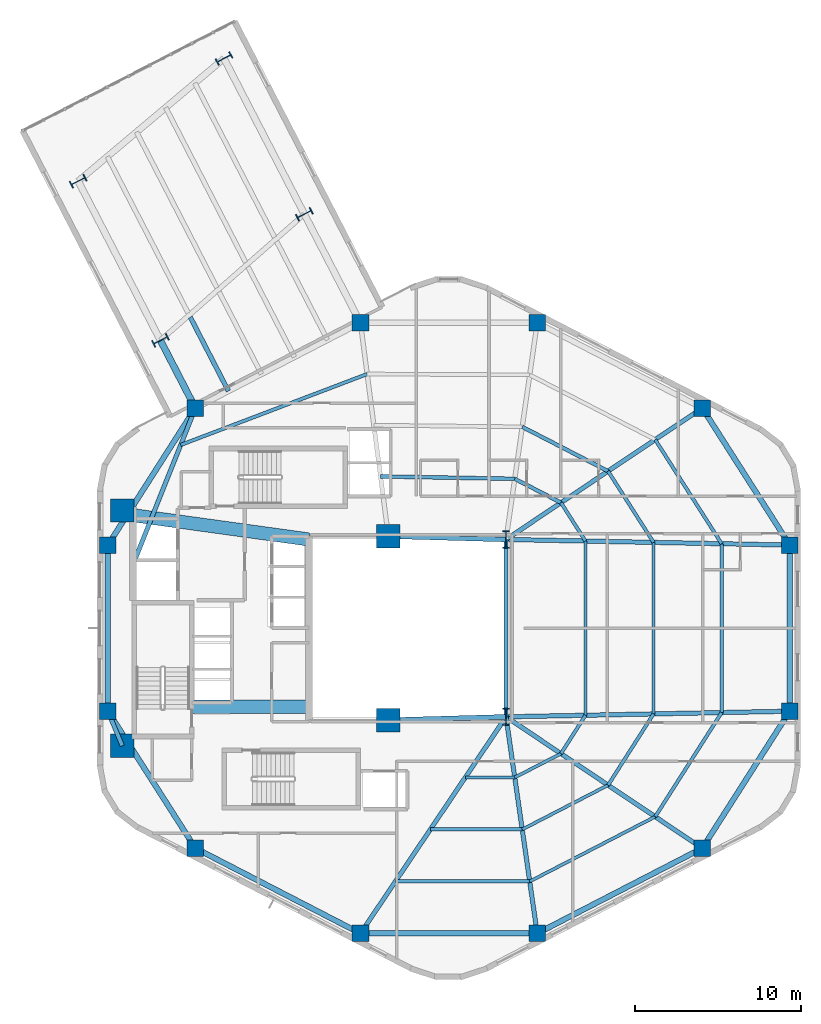
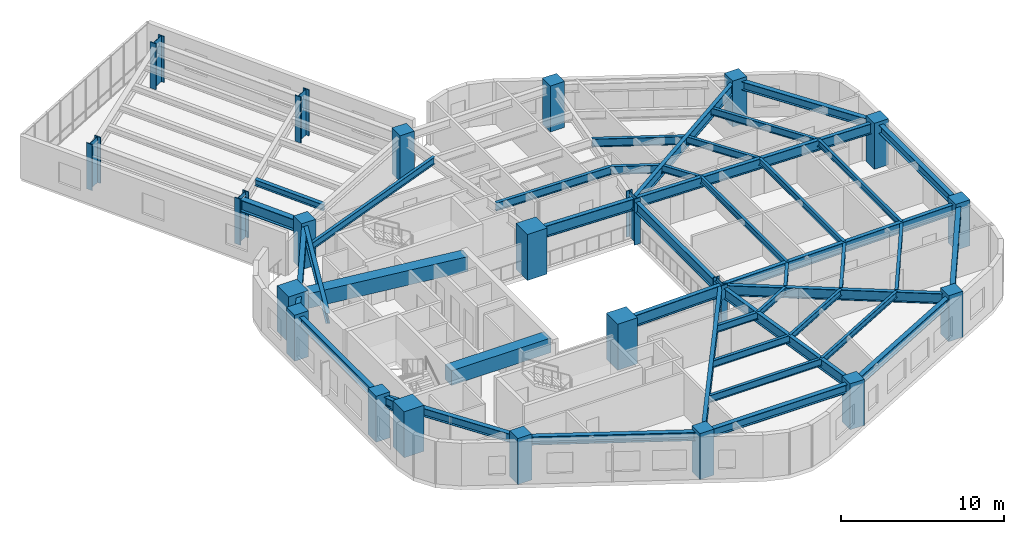
# One storey, part 1 of 11: 43 beams, 22 columns.
"""IFC4 building model written with IfcOpenShell, lengths in metres."""

from ifc_helpers import new_model, si_unit, direction, frame, origin, origin_2d, place, context, subcontext, project, spatial, rectangle, i_section, extrude, material, material_profile, profile_set, type_object, element, save


model = new_model("IFC4")

# Units and contexts
model_context = context("Model", 3, precision=1e-05, world=origin(), true_north=direction((0.0, 1.0)))
body_context = subcontext(model_context, "Body", "Model", "MODEL_VIEW")
ifc_project = project(units=[si_unit("LENGTHUNIT", "METRE"), si_unit("AREAUNIT", "SQUARE_METRE"), si_unit("VOLUMEUNIT", "CUBIC_METRE"), si_unit("PLANEANGLEUNIT", "RADIAN"), si_unit("MASSUNIT", "GRAM", prefix="KILO"), si_unit("THERMODYNAMICTEMPERATUREUNIT", "KELVIN"), si_unit("POWERUNIT", "WATT")], contexts=[model_context])

# Site, building, storey
site_placement = place(None, origin())
site = spatial("IfcSite", under=ifc_project, at=site_placement, CompositionType="ELEMENT")
building_placement = place(site_placement, origin())
building = spatial("IfcBuilding", under=site, at=building_placement, Name="Skarre Station Tower", CompositionType="ELEMENT")
storey_placement = place(building_placement, frame((0.0, 0.0, 146.39990234375)))
storey = spatial("IfcBuildingStorey", under=building, at=storey_placement, Name="L39", CompositionType="ELEMENT", Elevation=146.39990234375)

# Columns
ifc_material_1 = material(Name="Concrete C60/75", Category="concrete")
ifc_material_profile_1 = material_profile(ifc_material_1, rectangle(XDim=1.0, YDim=1.0, at=origin_2d()), Name="Concrete C60/75")
ifc_profile_set_1 = profile_set([ifc_material_profile_1], Name="Concrete C60/75")
column_type_1 = type_object("IfcColumnType", Name="RC Structural Column RC-COL-1000X1000", PredefinedType="COLUMN", material=ifc_profile_set_1)
for number, where, z_axis, x_axis, name in (
    (1, (51.291015625, 37.277099609375, 0.0), (0.0, 0.0, 1.0), (1.0, 0.0, 0.0), "L39 Zone 2 Perimeter Column F0C1"),
    (2, (41.3310546875, 42.41796875, 0.0), (0.0, 0.0, 1.0), (1.0, 0.0, 0.0), "L39 Zone 2 Perimeter Column F0C2"),
    (3, (30.6689453125, 42.41796875, 0.0), (0.0, 0.0, 1.0), (1.0, 0.0, 0.0), "L39 Zone 2 Perimeter Column F1C1"),
    (4, (20.708984375, 37.277099609375, 0.0), (0.0, 0.0, 1.0), (1.0, 0.0, 0.0), "L39 Zone 2 Perimeter Column F1C2"),
    (5, (15.431884765625, 29.010986328125, 0.0), (0.0, 0.0, 1.0), (1.0, 0.0, 0.0), "L39 Zone 2 Perimeter Column F2C1"),
    (6, (15.431884765625, 18.989013671875, 0.0), (0.0, 0.0, 1.0), (1.0, 0.0, 0.0), "L39 Zone 2 Perimeter Column F2C2"),
    (7, (20.708984375, 10.722900390625, 0.0), (0.0, 0.0, 1.0), (1.0, 0.0, 0.0), "L39 Zone 2 Perimeter Column F3C1"),
    (8, (30.6689453125, 5.58203125, 0.0), (0.0, 0.0, 1.0), (1.0, 0.0, 0.0), "L39 Zone 2 Perimeter Column F3C2"),
    (9, (41.3310546875, 5.58203125, 0.0), (0.0, 0.0, 1.0), (1.0, 0.0, 0.0), "L39 Zone 2 Perimeter Column F4C1"),
    (10, (51.291015625, 10.722900390625, 0.0), (0.0, 0.0, 1.0), (1.0, 0.0, 0.0), "L39 Zone 2 Perimeter Column F4C2"),
    (11, (56.568115234375, 18.989013671875, 0.0), (0.0, 0.0, 1.0), (1.0, 0.0, 0.0), "L39 Zone 2 Perimeter Column F5C1"),
    (12, (56.568115234375, 29.010986328125, 0.0), (0.0, 0.0, 1.0), (1.0, 0.0, 0.0), "L39 Zone 2 Perimeter Column F5C2"),
):
    element("IfcColumn", number, at=place(storey_placement, frame(where, z_axis=z_axis, x_axis=x_axis)), inside=storey, type_object=column_type_1, Name=name, PredefinedType="COLUMN", context=body_context, shape_type="SweptSolid", body=[
        extrude(rectangle(XDim=1.0, YDim=1.0, at=origin_2d()), origin(), (0.0, 0.0, 1.0), 3.4501953125),
    ])
ifc_material_2 = material(Name="Concrete C70/85", Category="concrete")
ifc_material_profile_2 = material_profile(ifc_material_2, rectangle(XDim=1.39990234375, YDim=1.39990234375, at=origin_2d()), Name="Concrete C70/85")
ifc_profile_set_2 = profile_set([ifc_material_profile_2], Name="Concrete C70/85")
column_type_2 = type_object("IfcColumnType", Name="RC Structural Column RC-COL-1400X1400", PredefinedType="COLUMN", material=ifc_profile_set_2)
for number, where, z_axis, x_axis, name in (
    (13, (16.300048828125, 16.89990234375, 0.0), (0.0, 0.0, 1.0), (1.0, 0.0, 0.0), "L39 Core Column CC-SW"),
    (14, (16.300048828125, 31.10009765625, 0.0), (0.0, 0.0, 1.0), (1.0, 0.0, 0.0), "L39 Core Column CC-NW"),
    (15, (32.35009765625, 18.449951171875, 0.0), (0.0, 0.0, 1.0), (1.0, 0.0, 0.0), "L39 Core Column CC-SE"),
    (16, (32.35009765625, 29.550048828125, 0.0), (0.0, 0.0, 1.0), (1.0, 0.0, 0.0), "L39 Core Column CC-NE"),
):
    element("IfcColumn", number, at=place(storey_placement, frame(where, z_axis=z_axis, x_axis=x_axis)), inside=storey, type_object=column_type_2, Name=name, PredefinedType="COLUMN", context=body_context, shape_type="SweptSolid", body=[
        extrude(rectangle(XDim=1.39990234375, YDim=1.39990234375, at=origin_2d()), origin(), (0.0, 0.0, 1.0), 3.4501953125),
    ])
ifc_material_3 = material(Name="Steel ASTM A913 Grade 65", Category="steel")
ifc_material_profile_3 = material_profile(ifc_material_3, i_section(OverallWidth=0.430908203125, OverallDepth=0.987060546875, WebThickness=0.033935546875, FlangeThickness=0.06201171875, at=origin_2d()), Name="Steel ASTM A913 Grade 65")
ifc_profile_set_3 = profile_set([ifc_material_profile_3], Name="Steel ASTM A913 Grade 65")
column_type_3 = type_object("IfcColumnType", Name="Steel Column W36X441", PredefinedType="COLUMN", material=ifc_profile_set_3)
for number, where, z_axis, x_axis, name in (
    (17, (27.283935546875, 48.97607421875, 0.0), (0.0, 0.0, 1.0), (-0.458649554484, 0.888617232655, 0.0), "L39 SB-3 Sky-Bar Frame Column M1"),
    (18, (18.59912109375, 41.364990234375, 0.0), (0.0, 0.0, 1.0), (-0.458649554484, 0.888617232655, 0.0), "L39 SB-3 Sky-Bar Frame Column M2"),
    (19, (22.43603515625, 58.367919921875, 0.0), (0.0, 0.0, 1.0), (-0.458649554484, 0.888617232655, 0.0), "L39 SB-3 Sky-Bar Frame Column T1"),
    (20, (13.64111328125, 50.969970703125, 0.0), (0.0, 0.0, 1.0), (-0.458649554484, 0.888617232655, 0.0), "L39 SB-3 Sky-Bar Frame Column T2"),
):
    element("IfcColumn", number, at=place(storey_placement, frame(where, z_axis=z_axis, x_axis=x_axis)), inside=storey, type_object=column_type_3, Name=name, PredefinedType="COLUMN", context=body_context, shape_type="SweptSolid", body=[
        extrude(i_section(OverallWidth=0.430908203125, OverallDepth=0.987060546875, WebThickness=0.033935546875, FlangeThickness=0.06201171875, at=origin_2d()), origin(), (0.0, 0.0, 1.0), 3.4501953125),
    ])
ifc_material_profile_4 = material_profile(ifc_material_3, i_section(OverallWidth=0.409912109375, OverallDepth=1.041015625, WebThickness=0.031005859375, FlangeThickness=0.055908203125, at=origin_2d()), Name="Steel ASTM A913 Grade 65")
ifc_profile_set_4 = profile_set([ifc_material_profile_4], Name="Steel ASTM A913 Grade 65")
column_type_4 = type_object("IfcColumnType", Name="Steel Column W40X397", PredefinedType="COLUMN", material=ifc_profile_set_4)
for number, where, z_axis, x_axis, name in (
    (21, (39.449951171875, 18.64990234375, 0.0), (0.0, 0.0, 1.0), (1.0, 0.0, 0.0), "L39 Atrium Spine Column AC-SE"),
    (22, (39.449951171875, 29.35009765625, 0.0), (0.0, 0.0, 1.0), (1.0, 0.0, 0.0), "L39 Atrium Spine Column AC-NE"),
):
    element("IfcColumn", number, at=place(storey_placement, frame(where, z_axis=z_axis, x_axis=x_axis)), inside=storey, type_object=column_type_4, Name=name, PredefinedType="COLUMN", context=body_context, shape_type="SweptSolid", body=[
        extrude(i_section(OverallWidth=0.409912109375, OverallDepth=1.041015625, WebThickness=0.031005859375, FlangeThickness=0.055908203125, at=origin_2d()), origin(), (0.0, 0.0, 1.0), 3.4501953125),
    ])

# Beams
ifc_material_profile_5 = material_profile(ifc_material_2, rectangle(XDim=0.800048828125, YDim=1.10009765625, at=origin_2d()), Name="Concrete C70/85")
ifc_profile_set_5 = profile_set([ifc_material_profile_5], Name="Concrete C70/85")
beam_type_1 = type_object("IfcBeamType", Name="RC Core Coupling Lintel 800x1100", PredefinedType="LINTEL", material=ifc_profile_set_5)
beam_1_placement = place(storey_placement, frame((20.489990234375, 19.260009765625, 2.64013671875), z_axis=(1.0, 0.0, 0.0), x_axis=(0.0, 1.0, 0.0)))
element("IfcBeam", 23, at=beam_1_placement, inside=storey, type_object=beam_type_1, Name="L39 South Core Coupling Lintel", PredefinedType="LINTEL", context=body_context, shape_type="SweptSolid", body=[
    extrude(rectangle(XDim=0.800048828125, YDim=1.10009765625, at=origin_2d()), origin(), (0.0, 0.0, 1.0), 7.06005859375),
])
beam_2_placement = place(storey_placement, frame((17.050048828125, 30.800048828125, 2.64013671875), z_axis=(0.990599723633, -0.136792498109, 0.0), x_axis=(0.136792498109, 0.990599723633, 0.0)))
element("IfcBeam", 24, at=beam_2_placement, inside=storey, type_object=beam_type_1, Name="L39 North Core Coupling Lintel", PredefinedType="LINTEL", context=body_context, shape_type="SweptSolid", body=[
    extrude(rectangle(XDim=0.800048828125, YDim=1.10009765625, at=origin_2d()), origin(), (0.0, 0.0, 1.0), 10.599609375),
])
ifc_material_4 = material(Name="Steel ASTM A992 Grade 50", Category="steel")
ifc_material_profile_6 = material_profile(ifc_material_4, i_section(OverallWidth=0.26806640625, OverallDepth=0.77001953125, WebThickness=0.01611328125, FlangeThickness=0.02490234375, at=origin_2d()), Name="Steel ASTM A992 Grade 50")
ifc_profile_set_6 = profile_set([ifc_material_profile_6], Name="Steel ASTM A992 Grade 50")
beam_type_2 = type_object("IfcBeamType", Name="Steel Beam W30X132", PredefinedType="BEAM", material=ifc_profile_set_6)
beam_3_placement = place(storey_placement, frame((39.449951171875, 18.64990234375, 2.80517578125), z_axis=(0.0, 1.0, 0.0), x_axis=(-1.0, 0.0, 0.0)))
element("IfcBeam", 25, at=beam_3_placement, inside=storey, type_object=beam_type_2, Name="L39 Atrium East Edge Girder", PredefinedType="BEAM", context=body_context, shape_type="SweptSolid", body=[
    extrude(i_section(OverallWidth=0.26806640625, OverallDepth=0.77001953125, WebThickness=0.01611328125, FlangeThickness=0.02490234375, at=origin_2d()), origin(), (0.0, 0.0, 1.0), 10.7001953125),
])
beam_4_placement = place(storey_placement, frame((39.449951171875, 29.35009765625, 2.80517578125), z_axis=(0.830981218317, 0.556300471692, 0.0), x_axis=(-0.556300471692, 0.830981218317, 0.0)))
element("IfcBeam", 26, at=beam_4_placement, inside=storey, type_object=beam_type_2, Name="L39 Radial Floor Girder F0C1", PredefinedType="BEAM", context=body_context, shape_type="SweptSolid", body=[
    extrude(i_section(OverallWidth=0.26806640625, OverallDepth=0.77001953125, WebThickness=0.01611328125, FlangeThickness=0.02490234375, at=origin_2d()), origin(), (0.0, 0.0, 1.0), 14.24951171875),
])
beam_5_placement = place(storey_placement, frame((17.010009765625, 28.0, 2.80517578125), z_axis=(0.370366288946, 0.928885790618, 0.0), x_axis=(-0.928885790618, 0.370366288946, 0.0)))
element("IfcBeam", 27, at=beam_5_placement, inside=storey, type_object=beam_type_2, Name="L39 Radial Floor Girder F1C2", PredefinedType="BEAM", context=body_context, shape_type="SweptSolid", body=[
    extrude(i_section(OverallWidth=0.26806640625, OverallDepth=0.77001953125, WebThickness=0.01611328125, FlangeThickness=0.02490234375, at=origin_2d()), origin(), (0.0, 0.0, 1.0), 9.9873046875),
])
beam_6_placement = place(storey_placement, frame((16.300048828125, 16.89990234375, 2.80517578125), z_axis=(-0.383749333092, 0.923437301256, 0.0), x_axis=(-0.923437301256, -0.383749333092, 0.0)))
element("IfcBeam", 28, at=beam_6_placement, inside=storey, type_object=beam_type_2, Name="L39 Radial Floor Girder F2C2", PredefinedType="BEAM", context=body_context, shape_type="SweptSolid", body=[
    extrude(i_section(OverallWidth=0.26806640625, OverallDepth=0.77001953125, WebThickness=0.01611328125, FlangeThickness=0.02490234375, at=origin_2d()), origin(), (0.0, 0.0, 1.0), 2.26220703125),
])
beam_7_placement = place(storey_placement, frame((39.449951171875, 18.64990234375, 2.80517578125), z_axis=(-0.55773464691, -0.830019315219, 0.0), x_axis=(0.830019315219, -0.55773464691, 0.0)))
element("IfcBeam", 29, at=beam_7_placement, inside=storey, type_object=beam_type_2, Name="L39 Radial Floor Girder F3C2", PredefinedType="BEAM", context=body_context, shape_type="SweptSolid", body=[
    extrude(i_section(OverallWidth=0.26806640625, OverallDepth=0.77001953125, WebThickness=0.01611328125, FlangeThickness=0.02490234375, at=origin_2d()), origin(), (0.0, 0.0, 1.0), 15.744140625),
])
beam_8_placement = place(storey_placement, frame((39.449951171875, 18.64990234375, 2.80517578125), z_axis=(0.142480121776, -0.989797663616, 0.0), x_axis=(0.989797663616, 0.142480121776, 0.0)))
element("IfcBeam", 30, at=beam_8_placement, inside=storey, type_object=beam_type_2, Name="L39 Radial Floor Girder F4C1", PredefinedType="BEAM", context=body_context, shape_type="SweptSolid", body=[
    extrude(i_section(OverallWidth=0.26806640625, OverallDepth=0.77001953125, WebThickness=0.01611328125, FlangeThickness=0.02490234375, at=origin_2d()), origin(), (0.0, 0.0, 1.0), 13.20263671875),
])
beam_9_placement = place(storey_placement, frame((39.449951171875, 18.64990234375, 2.80517578125), z_axis=(0.830981218317, -0.556300471692, 0.0), x_axis=(0.556300471692, 0.830981218317, 0.0)))
element("IfcBeam", 31, at=beam_9_placement, inside=storey, type_object=beam_type_2, Name="L39 Radial Floor Girder F4C2", PredefinedType="BEAM", context=body_context, shape_type="SweptSolid", body=[
    extrude(i_section(OverallWidth=0.26806640625, OverallDepth=0.77001953125, WebThickness=0.01611328125, FlangeThickness=0.02490234375, at=origin_2d()), origin(), (0.0, 0.0, 1.0), 14.24951171875),
])
for number, where, z_axis, x_axis, name in (
    (32, (39.449951171875, 18.64990234375, 2.80517578125), (0.999803839107, 0.019806143142, 0.0), (-0.019806143142, 0.999803839107, 0.0), "L39 Radial Floor Girder F5C1"),
    (33, (39.449951171875, 29.35009765625, 2.80517578125), (0.999803839107, -0.019806143142, 0.0), (0.019806143142, 0.999803839107, 0.0), "L39 Radial Floor Girder F5C2"),
):
    element("IfcBeam", number, at=place(storey_placement, frame(where, z_axis=z_axis, x_axis=x_axis)), inside=storey, type_object=beam_type_2, Name=name, PredefinedType="BEAM", context=body_context, shape_type="SweptSolid", body=[
        extrude(i_section(OverallWidth=0.26806640625, OverallDepth=0.77001953125, WebThickness=0.01611328125, FlangeThickness=0.02490234375, at=origin_2d()), origin(), (0.0, 0.0, 1.0), 17.12158203125),
    ])
ifc_material_profile_7 = material_profile(ifc_material_4, i_section(OverallWidth=0.2919921875, OverallDepth=0.85888671875, WebThickness=0.01708984375, FlangeThickness=0.031005859375, at=origin_2d()), Name="Steel ASTM A992 Grade 50")
ifc_profile_set_7 = profile_set([ifc_material_profile_7], Name="Steel ASTM A992 Grade 50")
beam_type_3 = type_object("IfcBeamType", Name="Steel Beam W33X169", PredefinedType="BEAM", material=ifc_profile_set_7)
for number, where, z_axis, x_axis, name in (
    (34, (32.35009765625, 18.449951171875, 2.760986328125), (0.999603666405, 0.028151556095, 0.0), (-0.028151556095, 0.999603666405, 0.0), "L39 Atrium South Edge Girder"),
    (35, (32.35009765625, 29.550048828125, 2.760986328125), (0.999603666405, -0.028151556095, 0.0), (0.028151556095, 0.999603666405, 0.0), "L39 Atrium North Edge Girder"),
):
    element("IfcBeam", number, at=place(storey_placement, frame(where, z_axis=z_axis, x_axis=x_axis)), inside=storey, type_object=beam_type_3, Name=name, PredefinedType="BEAM", context=body_context, shape_type="SweptSolid", body=[
        extrude(i_section(OverallWidth=0.2919921875, OverallDepth=0.85888671875, WebThickness=0.01708984375, FlangeThickness=0.031005859375, at=origin_2d()), origin(), (0.0, 0.0, 1.0), 7.102783203125),
    ])
ifc_material_profile_8 = material_profile(ifc_material_4, i_section(OverallWidth=0.40087890625, OverallDepth=0.876953125, WebThickness=0.02197265625, FlangeThickness=0.0400390625, at=origin_2d()), Name="Steel ASTM A992 Grade 50")
ifc_profile_set_8 = profile_set([ifc_material_profile_8], Name="Steel ASTM A992 Grade 50")
beam_type_4 = type_object("IfcBeamType", Name="Steel Beam W33X263", PredefinedType="BEAM", material=ifc_profile_set_8)
beam_10_placement = place(storey_placement, frame((20.708984375, 37.277099609375, 2.72607421875), z_axis=(-0.458640216065, 0.88862205251, 0.0), x_axis=(-0.88862205251, -0.458640216065, 0.0)))
element("IfcBeam", 36, at=beam_10_placement, inside=storey, type_object=beam_type_4, Name="L39 SB-3 Side 2 Inner Girder", PredefinedType="BEAM", context=body_context, shape_type="SweptSolid", body=[
    extrude(i_section(OverallWidth=0.40087890625, OverallDepth=0.876953125, WebThickness=0.02197265625, FlangeThickness=0.0400390625, at=origin_2d()), origin(), (0.0, 0.0, 1.0), 4.600341796875),
])
ifc_material_profile_9 = material_profile(ifc_material_4, i_section(OverallWidth=0.19091796875, OverallDepth=0.45703125, WebThickness=0.009033203125, FlangeThickness=0.013916015625, at=origin_2d()), Name="Steel ASTM A992 Grade 50")
ifc_profile_set_9 = profile_set([ifc_material_profile_9], Name="Steel ASTM A992 Grade 50")
beam_type_5 = type_object("IfcBeamType", Name="Steel Joist W18X50", PredefinedType="JOIST", material=ifc_profile_set_9)
beam_11_placement = place(storey_placement, frame((39.97705078125, 14.990966796875, 2.962158203125), z_axis=(0.88861042596, 0.458662741975, 0.0), x_axis=(-0.458662741975, 0.88861042596, 0.0)))
element("IfcBeam", 37, at=beam_11_placement, inside=storey, type_object=beam_type_5, Name="L39 Auxiliary Composite Joist 13", PredefinedType="JOIST", context=body_context, shape_type="SweptSolid", body=[
    extrude(i_section(OverallWidth=0.19091796875, OverallDepth=0.45703125, WebThickness=0.009033203125, FlangeThickness=0.013916015625, at=origin_2d()), origin(), (0.0, 0.0, 1.0), 3.13720703125),
])
beam_12_placement = place(storey_placement, frame((40.427978515625, 11.85498046875, 2.962158203125), z_axis=(0.888614598919, 0.458654657218, 0.0), x_axis=(-0.458654657218, 0.888614598919, 0.0)))
element("IfcBeam", 38, at=beam_12_placement, inside=storey, type_object=beam_type_5, Name="L39 Auxiliary Composite Joist 14", PredefinedType="JOIST", context=body_context, shape_type="SweptSolid", body=[
    extrude(i_section(OverallWidth=0.19091796875, OverallDepth=0.45703125, WebThickness=0.009033203125, FlangeThickness=0.013916015625, at=origin_2d()), origin(), (0.0, 0.0, 1.0), 5.828125),
])
beam_13_placement = place(storey_placement, frame((40.8798828125, 8.718017578125, 2.962158203125), z_axis=(0.888603699553, 0.45867577344, 0.0), x_axis=(-0.45867577344, 0.888603699553, 0.0)))
element("IfcBeam", 39, at=beam_13_placement, inside=storey, type_object=beam_type_5, Name="L39 Auxiliary Composite Joist 15", PredefinedType="JOIST", context=body_context, shape_type="SweptSolid", body=[
    extrude(i_section(OverallWidth=0.19091796875, OverallDepth=0.45703125, WebThickness=0.009033203125, FlangeThickness=0.013916015625, at=origin_2d()), origin(), (0.0, 0.0, 1.0), 8.51806640625),
])
beam_14_placement = place(storey_placement, frame((44.242919921875, 18.7451171875, 2.962158203125), z_axis=(0.0, 1.0, 0.0), x_axis=(-1.0, 0.0, 0.0)))
element("IfcBeam", 40, at=beam_14_placement, inside=storey, type_object=beam_type_5, Name="L39 Auxiliary Composite Joist 19", PredefinedType="JOIST", context=body_context, shape_type="SweptSolid", body=[
    extrude(i_section(OverallWidth=0.19091796875, OverallDepth=0.45703125, WebThickness=0.009033203125, FlangeThickness=0.013916015625, at=origin_2d()), origin(), (0.0, 0.0, 1.0), 10.509765625),
])
beam_15_placement = place(storey_placement, frame((48.35107421875, 18.825927734375, 2.962158203125), z_axis=(0.0, 1.0, 0.0), x_axis=(-1.0, 0.0, 0.0)))
element("IfcBeam", 41, at=beam_15_placement, inside=storey, type_object=beam_type_5, Name="L39 Auxiliary Composite Joist 20", PredefinedType="JOIST", context=body_context, shape_type="SweptSolid", body=[
    extrude(i_section(OverallWidth=0.19091796875, OverallDepth=0.45703125, WebThickness=0.009033203125, FlangeThickness=0.013916015625, at=origin_2d()), origin(), (0.0, 0.0, 1.0), 10.34814453125),
])
beam_16_placement = place(storey_placement, frame((52.4599609375, 18.907958984375, 2.962158203125), z_axis=(0.0, 1.0, 0.0), x_axis=(-1.0, 0.0, 0.0)))
element("IfcBeam", 42, at=beam_16_placement, inside=storey, type_object=beam_type_5, Name="L39 Auxiliary Composite Joist 21", PredefinedType="JOIST", context=body_context, shape_type="SweptSolid", body=[
    extrude(i_section(OverallWidth=0.19091796875, OverallDepth=0.45703125, WebThickness=0.009033203125, FlangeThickness=0.013916015625, at=origin_2d()), origin(), (0.0, 0.0, 1.0), 10.18408203125),
])
ifc_material_profile_10 = material_profile(ifc_material_4, i_section(OverallWidth=0.280029296875, OverallDepth=0.462890625, WebThickness=0.010986328125, FlangeThickness=0.01708984375, at=origin_2d()), Name="Steel ASTM A992 Grade 50")
ifc_profile_set_10 = profile_set([ifc_material_profile_10], Name="Steel ASTM A992 Grade 50")
beam_type_6 = type_object("IfcBeamType", Name="Steel Joist W18X76", PredefinedType="JOIST", material=ifc_profile_set_10)
beam_17_placement = place(storey_placement, frame((22.700927734375, 38.304931640625, 2.93310546875), z_axis=(-0.458632994069, 0.888625779927, 0.0), x_axis=(-0.888625779927, -0.458632994069, 0.0)))
element("IfcBeam", 43, at=beam_17_placement, inside=storey, type_object=beam_type_6, Name="L39 SB-3 Inner Deck Joist 4", PredefinedType="JOIST", context=body_context, shape_type="SweptSolid", body=[
    extrude(i_section(OverallWidth=0.280029296875, OverallDepth=0.462890625, WebThickness=0.010986328125, FlangeThickness=0.01708984375, at=origin_2d()), origin(), (0.0, 0.0, 1.0), 5.012451171875),
])
ifc_material_profile_11 = material_profile(ifc_material_4, i_section(OverallWidth=0.208984375, OverallDepth=0.532958984375, WebThickness=0.010009765625, FlangeThickness=0.01611328125, at=origin_2d()), Name="Steel ASTM A992 Grade 50")
ifc_profile_set_11 = profile_set([ifc_material_profile_11], Name="Steel ASTM A992 Grade 50")
beam_type_7 = type_object("IfcBeamType", Name="Steel Joist W21X62", PredefinedType="JOIST", material=ifc_profile_set_11)
beam_18_placement = place(storey_placement, frame((31.072021484375, 39.330078125, 2.923095703125), z_axis=(-0.934681982826, -0.355485008094, 0.0), x_axis=(0.355485008094, -0.934681982826, 0.0)))
element("IfcBeam", 44, at=beam_18_placement, inside=storey, type_object=beam_type_7, Name="L39 Auxiliary Composite Joist 9", PredefinedType="JOIST", context=body_context, shape_type="SweptSolid", body=[
    extrude(i_section(OverallWidth=0.208984375, OverallDepth=0.532958984375, WebThickness=0.010009765625, FlangeThickness=0.01611328125, at=origin_2d()), origin(), (0.0, 0.0, 1.0), 12.037109375),
])
beam_19_placement = place(storey_placement, frame((36.990966796875, 14.990966796875, 2.923095703125), z_axis=(1.0, 0.0, 0.0), x_axis=(0.0, 1.0, 0.0)))
element("IfcBeam", 45, at=beam_19_placement, inside=storey, type_object=beam_type_7, Name="L39 Auxiliary Composite Joist 10", PredefinedType="JOIST", context=body_context, shape_type="SweptSolid", body=[
    extrude(i_section(OverallWidth=0.208984375, OverallDepth=0.532958984375, WebThickness=0.010009765625, FlangeThickness=0.01611328125, at=origin_2d()), origin(), (0.0, 0.0, 1.0), 2.986083984375),
])
beam_20_placement = place(storey_placement, frame((34.884033203125, 11.85498046875, 2.923095703125), z_axis=(1.0, 0.0, 0.0), x_axis=(0.0, 1.0, 0.0)))
element("IfcBeam", 46, at=beam_20_placement, inside=storey, type_object=beam_type_7, Name="L39 Auxiliary Composite Joist 11", PredefinedType="JOIST", context=body_context, shape_type="SweptSolid", body=[
    extrude(i_section(OverallWidth=0.208984375, OverallDepth=0.532958984375, WebThickness=0.010009765625, FlangeThickness=0.01611328125, at=origin_2d()), origin(), (0.0, 0.0, 1.0), 5.5439453125),
])
beam_21_placement = place(storey_placement, frame((32.77587890625, 8.718017578125, 2.923095703125), z_axis=(1.0, 0.0, 0.0), x_axis=(0.0, 1.0, 0.0)))
element("IfcBeam", 47, at=beam_21_placement, inside=storey, type_object=beam_type_7, Name="L39 Auxiliary Composite Joist 12", PredefinedType="JOIST", context=body_context, shape_type="SweptSolid", body=[
    extrude(i_section(OverallWidth=0.208984375, OverallDepth=0.532958984375, WebThickness=0.010009765625, FlangeThickness=0.01611328125, at=origin_2d()), origin(), (0.0, 0.0, 1.0), 8.10400390625),
])
beam_22_placement = place(storey_placement, frame((42.764892578125, 16.429931640625, 2.923095703125), z_axis=(0.538099948257, 0.84288103887, 0.0), x_axis=(-0.84288103887, 0.538099948257, 0.0)))
element("IfcBeam", 48, at=beam_22_placement, inside=storey, type_object=beam_type_7, Name="L39 Auxiliary Composite Joist 16", PredefinedType="JOIST", context=body_context, shape_type="SweptSolid", body=[
    extrude(i_section(OverallWidth=0.208984375, OverallDepth=0.532958984375, WebThickness=0.010009765625, FlangeThickness=0.01611328125, at=origin_2d()), origin(), (0.0, 0.0, 1.0), 2.746826171875),
])
beam_23_placement = place(storey_placement, frame((45.60693359375, 14.528076171875, 2.923095703125), z_axis=(0.538151254938, 0.842848282201, 0.0), x_axis=(-0.842848282201, 0.538151254938, 0.0)))
element("IfcBeam", 49, at=beam_23_placement, inside=storey, type_object=beam_type_7, Name="L39 Auxiliary Composite Joist 17", PredefinedType="JOIST", context=body_context, shape_type="SweptSolid", body=[
    extrude(i_section(OverallWidth=0.208984375, OverallDepth=0.532958984375, WebThickness=0.010009765625, FlangeThickness=0.01611328125, at=origin_2d()), origin(), (0.0, 0.0, 1.0), 5.09912109375),
])
beam_24_placement = place(storey_placement, frame((48.448974609375, 12.625, 2.923095703125), z_axis=(0.53809140179, 0.842886494921, 0.0), x_axis=(-0.842886494921, 0.53809140179, 0.0)))
element("IfcBeam", 50, at=beam_24_placement, inside=storey, type_object=beam_type_7, Name="L39 Auxiliary Composite Joist 18", PredefinedType="JOIST", context=body_context, shape_type="SweptSolid", body=[
    extrude(i_section(OverallWidth=0.208984375, OverallDepth=0.532958984375, WebThickness=0.010009765625, FlangeThickness=0.01611328125, at=origin_2d()), origin(), (0.0, 0.0, 1.0), 7.4541015625),
])
beam_25_placement = place(storey_placement, frame((44.242919921875, 29.2548828125, 2.923095703125), z_axis=(-0.538099948257, 0.84288103887, 0.0), x_axis=(-0.84288103887, -0.538099948257, 0.0)))
element("IfcBeam", 51, at=beam_25_placement, inside=storey, type_object=beam_type_7, Name="L39 Auxiliary Composite Joist 22", PredefinedType="JOIST", context=body_context, shape_type="SweptSolid", body=[
    extrude(i_section(OverallWidth=0.208984375, OverallDepth=0.532958984375, WebThickness=0.010009765625, FlangeThickness=0.01611328125, at=origin_2d()), origin(), (0.0, 0.0, 1.0), 2.746826171875),
])
beam_26_placement = place(storey_placement, frame((48.35107421875, 29.174072265625, 2.923095703125), z_axis=(-0.538151254938, 0.842848282201, 0.0), x_axis=(-0.842848282201, -0.538151254938, 0.0)))
element("IfcBeam", 52, at=beam_26_placement, inside=storey, type_object=beam_type_7, Name="L39 Auxiliary Composite Joist 23", PredefinedType="JOIST", context=body_context, shape_type="SweptSolid", body=[
    extrude(i_section(OverallWidth=0.208984375, OverallDepth=0.532958984375, WebThickness=0.010009765625, FlangeThickness=0.01611328125, at=origin_2d()), origin(), (0.0, 0.0, 1.0), 5.09912109375),
])
beam_27_placement = place(storey_placement, frame((52.4599609375, 29.092041015625, 2.923095703125), z_axis=(-0.53809140179, 0.842886494921, 0.0), x_axis=(-0.842886494921, -0.53809140179, 0.0)))
element("IfcBeam", 53, at=beam_27_placement, inside=storey, type_object=beam_type_7, Name="L39 Auxiliary Composite Joist 24", PredefinedType="JOIST", context=body_context, shape_type="SweptSolid", body=[
    extrude(i_section(OverallWidth=0.208984375, OverallDepth=0.532958984375, WebThickness=0.010009765625, FlangeThickness=0.01611328125, at=origin_2d()), origin(), (0.0, 0.0, 1.0), 7.4541015625),
])
ifc_material_profile_12 = material_profile(ifc_material_4, i_section(OverallWidth=0.22802734375, OverallDepth=0.60791015625, WebThickness=0.010986328125, FlangeThickness=0.01708984375, at=origin_2d()), Name="Steel ASTM A992 Grade 50")
ifc_profile_set_12 = profile_set([ifc_material_profile_12], Name="Steel ASTM A992 Grade 50")
beam_type_8 = type_object("IfcBeamType", Name="Steel Joist W24X76", PredefinedType="JOIST", material=ifc_profile_set_12)
beam_28_placement = place(storey_placement, frame((42.764892578125, 31.570068359375, 2.885986328125), z_axis=(-0.88861042596, 0.458662741975, 0.0), x_axis=(-0.458662741975, -0.88861042596, 0.0)))
element("IfcBeam", 54, at=beam_28_placement, inside=storey, type_object=beam_type_8, Name="L39 Secondary Floor Joist 1", PredefinedType="JOIST", context=body_context, shape_type="SweptSolid", body=[
    extrude(i_section(OverallWidth=0.22802734375, OverallDepth=0.60791015625, WebThickness=0.010986328125, FlangeThickness=0.01708984375, at=origin_2d()), origin(), (0.0, 0.0, 1.0), 3.13720703125),
])
beam_29_placement = place(storey_placement, frame((45.60693359375, 33.471923828125, 2.885986328125), z_axis=(-0.888614598919, 0.458654657218, 0.0), x_axis=(-0.458654657218, -0.888614598919, 0.0)))
element("IfcBeam", 55, at=beam_29_placement, inside=storey, type_object=beam_type_8, Name="L39 Secondary Floor Joist 2", PredefinedType="JOIST", context=body_context, shape_type="SweptSolid", body=[
    extrude(i_section(OverallWidth=0.22802734375, OverallDepth=0.60791015625, WebThickness=0.010986328125, FlangeThickness=0.01708984375, at=origin_2d()), origin(), (0.0, 0.0, 1.0), 5.828125),
])
beam_30_placement = place(storey_placement, frame((39.97705078125, 33.009033203125, 2.885986328125), z_axis=(-0.999841846049, 0.01778434396, 0.0), x_axis=(-0.01778434396, -0.999841846049, 0.0)))
element("IfcBeam", 56, at=beam_30_placement, inside=storey, type_object=beam_type_8, Name="L39 Secondary Floor Joist 4", PredefinedType="JOIST", context=body_context, shape_type="SweptSolid", body=[
    extrude(i_section(OverallWidth=0.22802734375, OverallDepth=0.60791015625, WebThickness=0.010986328125, FlangeThickness=0.01708984375, at=origin_2d()), origin(), (0.0, 0.0, 1.0), 8.099365234375),
])
ifc_material_profile_13 = material_profile(ifc_material_4, i_section(OverallWidth=0.327880859375, OverallDepth=0.6279296875, WebThickness=0.01708984375, FlangeThickness=0.028076171875, at=origin_2d()), Name="Steel ASTM A992 Grade 50")
ifc_profile_set_13 = profile_set([ifc_material_profile_13], Name="Steel ASTM A992 Grade 50")
beam_type_9 = type_object("IfcBeamType", Name="Steel Spandrel W24X146", PredefinedType="SPANDREL", material=ifc_profile_set_13)
beam_31_placement = place(storey_placement, frame((20.708984375, 37.277099609375, 2.8759765625), z_axis=(-0.538097547923, -0.842882571251, 0.0), x_axis=(0.842882571251, -0.538097547923, 0.0)))
element("IfcBeam", 57, at=beam_31_placement, inside=storey, type_object=beam_type_9, Name="L39 Facet Spandrel Beam 4", PredefinedType="SPANDREL", context=body_context, shape_type="SweptSolid", body=[
    extrude(i_section(OverallWidth=0.327880859375, OverallDepth=0.6279296875, WebThickness=0.01708984375, FlangeThickness=0.028076171875, at=origin_2d()), origin(), (0.0, 0.0, 1.0), 9.806884765625),
])
beam_32_placement = place(storey_placement, frame((15.431884765625, 29.010986328125, 2.8759765625), z_axis=(0.0, -1.0, 0.0), x_axis=(1.0, 0.0, 0.0)))
element("IfcBeam", 58, at=beam_32_placement, inside=storey, type_object=beam_type_9, Name="L39 Facet Spandrel Beam 5", PredefinedType="SPANDREL", context=body_context, shape_type="SweptSolid", body=[
    extrude(i_section(OverallWidth=0.327880859375, OverallDepth=0.6279296875, WebThickness=0.01708984375, FlangeThickness=0.028076171875, at=origin_2d()), origin(), (0.0, 0.0, 1.0), 10.02197265625),
])
beam_33_placement = place(storey_placement, frame((15.431884765625, 18.989013671875, 2.8759765625), z_axis=(0.538097547923, -0.842882571251, 0.0), x_axis=(0.842882571251, 0.538097547923, 0.0)))
element("IfcBeam", 59, at=beam_33_placement, inside=storey, type_object=beam_type_9, Name="L39 Facet Spandrel Beam 6", PredefinedType="SPANDREL", context=body_context, shape_type="SweptSolid", body=[
    extrude(i_section(OverallWidth=0.327880859375, OverallDepth=0.6279296875, WebThickness=0.01708984375, FlangeThickness=0.028076171875, at=origin_2d()), origin(), (0.0, 0.0, 1.0), 9.806884765625),
])
beam_34_placement = place(storey_placement, frame((20.708984375, 10.722900390625, 2.8759765625), z_axis=(0.888611779493, -0.458660119639, 0.0), x_axis=(0.458660119639, 0.888611779493, 0.0)))
element("IfcBeam", 60, at=beam_34_placement, inside=storey, type_object=beam_type_9, Name="L39 Facet Spandrel Beam 7", PredefinedType="SPANDREL", context=body_context, shape_type="SweptSolid", body=[
    extrude(i_section(OverallWidth=0.327880859375, OverallDepth=0.6279296875, WebThickness=0.01708984375, FlangeThickness=0.028076171875, at=origin_2d()), origin(), (0.0, 0.0, 1.0), 11.20849609375),
])
beam_35_placement = place(storey_placement, frame((30.6689453125, 5.58203125, 2.8759765625), z_axis=(1.0, 0.0, 0.0), x_axis=(0.0, 1.0, 0.0)))
element("IfcBeam", 61, at=beam_35_placement, inside=storey, type_object=beam_type_9, Name="L39 Facet Spandrel Beam 8", PredefinedType="SPANDREL", context=body_context, shape_type="SweptSolid", body=[
    extrude(i_section(OverallWidth=0.327880859375, OverallDepth=0.6279296875, WebThickness=0.01708984375, FlangeThickness=0.028076171875, at=origin_2d()), origin(), (0.0, 0.0, 1.0), 10.662109375),
])
beam_36_placement = place(storey_placement, frame((41.3310546875, 5.58203125, 2.8759765625), z_axis=(0.888611779493, 0.458660119639, 0.0), x_axis=(-0.458660119639, 0.888611779493, 0.0)))
element("IfcBeam", 62, at=beam_36_placement, inside=storey, type_object=beam_type_9, Name="L39 Facet Spandrel Beam 9", PredefinedType="SPANDREL", context=body_context, shape_type="SweptSolid", body=[
    extrude(i_section(OverallWidth=0.327880859375, OverallDepth=0.6279296875, WebThickness=0.01708984375, FlangeThickness=0.028076171875, at=origin_2d()), origin(), (0.0, 0.0, 1.0), 11.20849609375),
])
beam_37_placement = place(storey_placement, frame((51.291015625, 10.722900390625, 2.8759765625), z_axis=(0.538097547923, 0.842882571251, 0.0), x_axis=(-0.842882571251, 0.538097547923, 0.0)))
element("IfcBeam", 63, at=beam_37_placement, inside=storey, type_object=beam_type_9, Name="L39 Facet Spandrel Beam 10", PredefinedType="SPANDREL", context=body_context, shape_type="SweptSolid", body=[
    extrude(i_section(OverallWidth=0.327880859375, OverallDepth=0.6279296875, WebThickness=0.01708984375, FlangeThickness=0.028076171875, at=origin_2d()), origin(), (0.0, 0.0, 1.0), 9.806884765625),
])
beam_38_placement = place(storey_placement, frame((56.568115234375, 18.989013671875, 2.8759765625), z_axis=(0.0, 1.0, 0.0), x_axis=(-1.0, 0.0, 0.0)))
element("IfcBeam", 64, at=beam_38_placement, inside=storey, type_object=beam_type_9, Name="L39 Facet Spandrel Beam 11", PredefinedType="SPANDREL", context=body_context, shape_type="SweptSolid", body=[
    extrude(i_section(OverallWidth=0.327880859375, OverallDepth=0.6279296875, WebThickness=0.01708984375, FlangeThickness=0.028076171875, at=origin_2d()), origin(), (0.0, 0.0, 1.0), 10.02197265625),
])
beam_39_placement = place(storey_placement, frame((56.568115234375, 29.010986328125, 2.8759765625), z_axis=(-0.538097547923, 0.842882571251, 0.0), x_axis=(-0.842882571251, -0.538097547923, 0.0)))
element("IfcBeam", 65, at=beam_39_placement, inside=storey, type_object=beam_type_9, Name="L39 Facet Spandrel Beam 12", PredefinedType="SPANDREL", context=body_context, shape_type="SweptSolid", body=[
    extrude(i_section(OverallWidth=0.327880859375, OverallDepth=0.6279296875, WebThickness=0.01708984375, FlangeThickness=0.028076171875, at=origin_2d()), origin(), (0.0, 0.0, 1.0), 9.806884765625),
])

save(model, "model.ifc")
